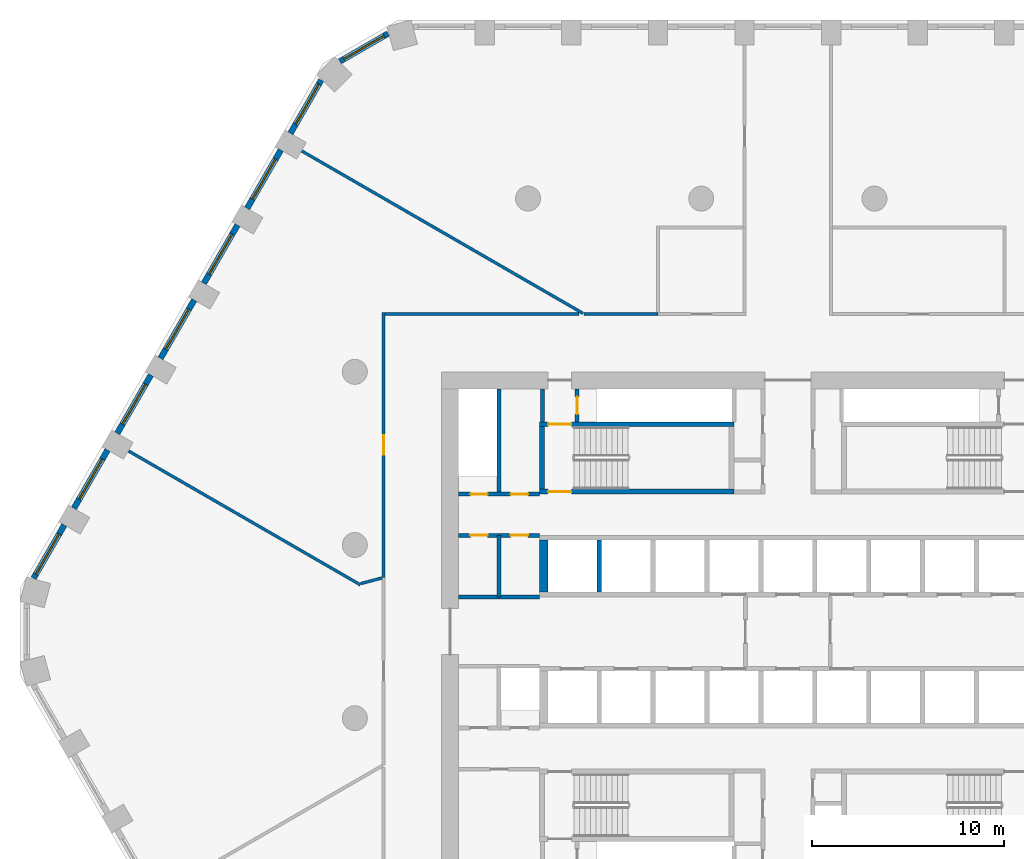
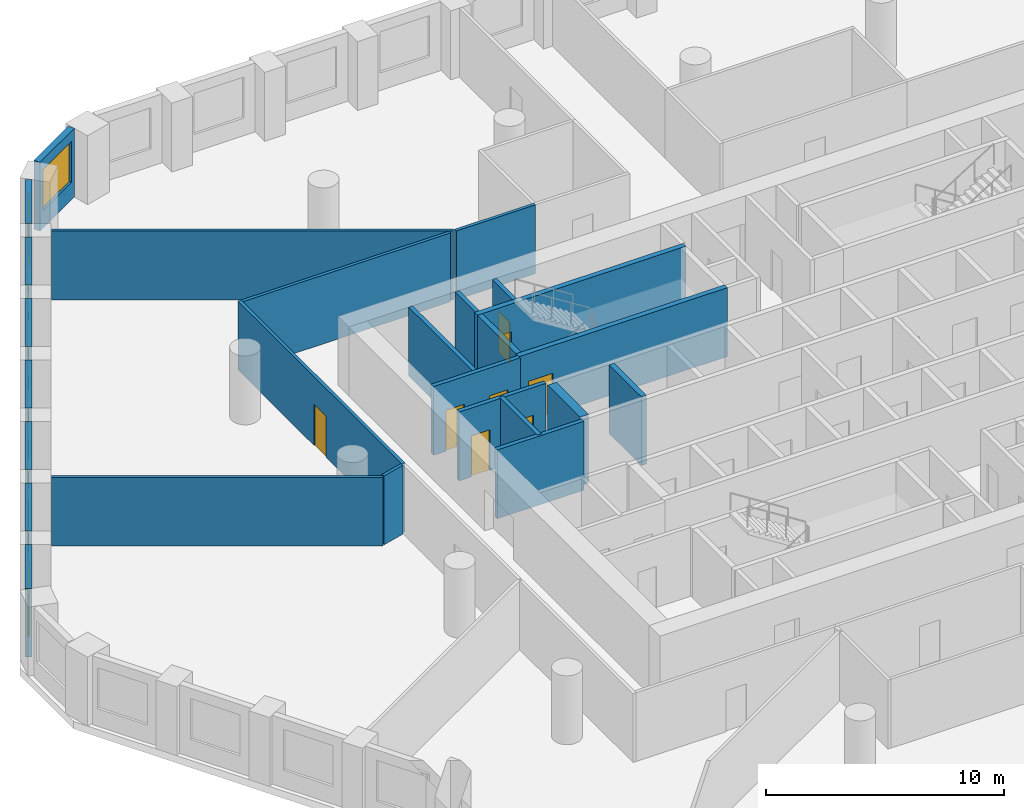
# One storey, part 5 of 10: 26 walls, 8 doors, 8 windows, 16 openings.
"""IFC4 building model written with IfcOpenShell, lengths in metres."""

from ifc_helpers import new_model, si_unit, direction, frame, frame_2d, origin, place, context, subcontext, project, spatial, polyline, rectangle, outline, extrude, material, layer, layer_set, type_object, element, fill, save


model = new_model("IFC4")

# Units and contexts
model_context = context("Model", 3, precision=1e-05, world=origin(), true_north=direction((0.0, 1.0)))
body_context = subcontext(model_context, "Body", "Model", "MODEL_VIEW")
ifc_project = project(units=[si_unit("LENGTHUNIT", "METRE"), si_unit("AREAUNIT", "SQUARE_METRE"), si_unit("VOLUMEUNIT", "CUBIC_METRE"), si_unit("PLANEANGLEUNIT", "RADIAN"), si_unit("MASSUNIT", "GRAM", prefix="KILO")], contexts=[model_context])

# Site, building, storey
site_placement = place(None, origin())
site = spatial("IfcSite", under=ifc_project, at=site_placement, CompositionType="ELEMENT")
building_placement = place(site_placement, origin())
building = spatial("IfcBuilding", under=site, at=building_placement, Name="Dhurran Vertical Campus", CompositionType="ELEMENT")
storey_placement = place(building_placement, frame((0.0, 0.0, 85.199951171875)))
storey = spatial("IfcBuildingStorey", under=building, at=storey_placement, Name="L20", CompositionType="ELEMENT", Elevation=85.199951171875)

# Wall, opening, window
ifc_material_1 = material(Name="Precast concrete C50/60", Category="concrete")
ifc_layer_1 = layer(ifc_material_1, 0.300048828125)
ifc_layer_set_1 = layer_set([ifc_layer_1], Name="Precast concrete C50/60")
wall_type_1 = type_object("IfcWallType", Name="Precast spandrel wall 300", PredefinedType="SOLIDWALL", material=ifc_layer_set_1)
wall_1_placement = place(storey_placement, frame((-20.774169921875, 31.072998046875, 0.0), z_axis=(0.0, 0.0, 1.0), x_axis=(-0.866053149362, -0.49995194017, 0.0)))
wall_1 = element("IfcWall", 1, at=wall_1_placement, inside=storey, type_object=wall_type_1, Name="EW1 L20.35", PredefinedType="SOLIDWALL", context=body_context, shape_type="SweptSolid", body=[
    extrude(rectangle(XDim=2.885498046875, YDim=0.300048828125, at=frame_2d((1.44287109375, 0.0))), origin(), (0.0, 0.0, 1.0), 3.525146484375),
])
opening_1_placement = place(wall_1_placement, frame((0.242919921875, 0.0, 0.89990234375)))
opening_1 = element("IfcOpeningElement", 2, at=opening_1_placement, cuts=wall_1, Name="Opening WT1", PredefinedType="OPENING", context=body_context, shape_type="SweptSolid", body=[
    extrude(rectangle(XDim=2.39990234375, YDim=2.10009765625, at=frame_2d((1.199951171875, 1.050048828125))), frame((0.0, 0.159912109375, 0.0), z_axis=(0.0, -1.0, 0.0), x_axis=(1.0, 0.0, 0.0)), (0.0, 0.0, 1.0), 0.320068359375),
])
ifc_material_2 = material(Name="Aluminium frame with solar-control glass", Category="aluminium")
window_type = type_object("IfcWindowType", Name="Punched window 2400 x 2100", PartitioningType="SINGLE_PANEL", PredefinedType="WINDOW", material=ifc_material_2)
window_1_placement = place(opening_1_placement, origin())
window_1 = element("IfcWindow", 3, at=window_1_placement, inside=storey, type_object=window_type, Name="WT1 L20.35", OverallHeight=2.10009765625, OverallWidth=2.39990234375, PartitioningType="SINGLE_PANEL", PredefinedType="WINDOW", context=body_context, shape_type="SweptSolid", body=[
    extrude(rectangle(XDim=2.39990234375, YDim=2.10009765625, at=frame_2d((1.199951171875, 1.050048828125))), frame((0.0, 0.030029296875, 0.0), z_axis=(0.0, -1.0, 0.0), x_axis=(1.0, 0.0, 0.0)), (0.0, 0.0, 1.0), 0.06005859375),
])
fill(opening_1, window_1)

wall_2_placement = place(storey_placement, frame((-24.24755859375, 28.65576171875, 0.0), z_axis=(0.0, 0.0, 1.0), x_axis=(-0.500004907028, -0.866022570692, 0.0)))
wall_2 = element("IfcWall", 4, at=wall_2_placement, inside=storey, type_object=wall_type_1, Name="EW1 L20.36", PredefinedType="SOLIDWALL", context=body_context, shape_type="SweptSolid", body=[
    extrude(rectangle(XDim=3.1923828125, YDim=0.300048828125, at=frame_2d((1.59619140625, 0.0))), origin(), (0.0, 0.0, 1.0), 3.525146484375),
])
opening_2_placement = place(wall_2_placement, frame((0.242919921875, 0.0, 0.89990234375)))
opening_2 = element("IfcOpeningElement", 5, at=opening_2_placement, cuts=wall_2, Name="Opening WT1", PredefinedType="OPENING", context=body_context, shape_type="SweptSolid", body=[
    extrude(rectangle(XDim=2.39990234375, YDim=2.10009765625, at=frame_2d((1.199951171875, 1.050048828125))), frame((0.0, 0.159912109375, 0.0), z_axis=(0.0, -1.0, 0.0), x_axis=(1.0, 0.0, 0.0)), (0.0, 0.0, 1.0), 0.320068359375),
])
window_2_placement = place(opening_2_placement, origin())
window_2 = element("IfcWindow", 6, at=window_2_placement, inside=storey, type_object=window_type, Name="WT1 L20.36", OverallHeight=2.10009765625, OverallWidth=2.39990234375, PartitioningType="SINGLE_PANEL", PredefinedType="WINDOW", context=body_context, shape_type="SweptSolid", body=[
    extrude(rectangle(XDim=2.39990234375, YDim=2.10009765625, at=frame_2d((1.199951171875, 1.050048828125))), frame((0.0, 0.030029296875, 0.0), z_axis=(0.0, -1.0, 0.0), x_axis=(1.0, 0.0, 0.0)), (0.0, 0.0, 1.0), 0.06005859375),
])
fill(opening_2, window_2)

wall_3_placement = place(storey_placement, frame((-26.34423828125, 25.024169921875, 0.0), z_axis=(0.0, 0.0, 1.0), x_axis=(-0.499996256241, -0.866027565234, 0.0)))
wall_3 = element("IfcWall", 7, at=wall_3_placement, inside=storey, type_object=wall_type_1, Name="EW1 L20.37", PredefinedType="SOLIDWALL", context=body_context, shape_type="SweptSolid", body=[
    extrude(rectangle(XDim=3.4990234375, YDim=0.300048828125, at=frame_2d((1.74951171875, 0.0))), origin(), (0.0, 0.0, 1.0), 3.525146484375),
])
opening_3_placement = place(wall_3_placement, frame((0.549560546875, 0.0, 0.89990234375)))
opening_3 = element("IfcOpeningElement", 8, at=opening_3_placement, cuts=wall_3, Name="Opening WT1", PredefinedType="OPENING", context=body_context, shape_type="SweptSolid", body=[
    extrude(rectangle(XDim=2.39990234375, YDim=2.10009765625, at=frame_2d((1.199951171875, 1.050048828125))), frame((0.0, 0.159912109375, 0.0), z_axis=(0.0, -1.0, 0.0), x_axis=(1.0, 0.0, 0.0)), (0.0, 0.0, 1.0), 0.320068359375),
])
window_3_placement = place(opening_3_placement, origin())
window_3 = element("IfcWindow", 9, at=window_3_placement, inside=storey, type_object=window_type, Name="WT1 L20.37", OverallHeight=2.10009765625, OverallWidth=2.39990234375, PartitioningType="SINGLE_PANEL", PredefinedType="WINDOW", context=body_context, shape_type="SweptSolid", body=[
    extrude(rectangle(XDim=2.39990234375, YDim=2.10009765625, at=frame_2d((1.199951171875, 1.050048828125))), frame((0.0, 0.030029296875, 0.0), z_axis=(0.0, -1.0, 0.0), x_axis=(1.0, 0.0, 0.0)), (0.0, 0.0, 1.0), 0.06005859375),
])
fill(opening_3, window_3)

wall_4_placement = place(storey_placement, frame((-28.59423828125, 21.127197265625, 0.0), z_axis=(0.0, 0.0, 1.0), x_axis=(-0.499996256241, -0.866027565234, 0.0)))
wall_4 = element("IfcWall", 10, at=wall_4_placement, inside=storey, type_object=wall_type_1, Name="EW1 L20.38", PredefinedType="SOLIDWALL", context=body_context, shape_type="SweptSolid", body=[
    extrude(rectangle(XDim=3.4990234375, YDim=0.300048828125, at=frame_2d((1.74951171875, 0.0))), origin(), (0.0, 0.0, 1.0), 3.525146484375),
])
opening_4_placement = place(wall_4_placement, frame((0.549560546875, 0.0, 0.89990234375)))
opening_4 = element("IfcOpeningElement", 11, at=opening_4_placement, cuts=wall_4, Name="Opening WT1", PredefinedType="OPENING", context=body_context, shape_type="SweptSolid", body=[
    extrude(rectangle(XDim=2.39990234375, YDim=2.10009765625, at=frame_2d((1.199951171875, 1.050048828125))), frame((0.0, 0.159912109375, 0.0), z_axis=(0.0, -1.0, 0.0), x_axis=(1.0, 0.0, 0.0)), (0.0, 0.0, 1.0), 0.320068359375),
])
window_4_placement = place(opening_4_placement, origin())
window_4 = element("IfcWindow", 12, at=window_4_placement, inside=storey, type_object=window_type, Name="WT1 L20.38", OverallHeight=2.10009765625, OverallWidth=2.39990234375, PartitioningType="SINGLE_PANEL", PredefinedType="WINDOW", context=body_context, shape_type="SweptSolid", body=[
    extrude(rectangle(XDim=2.39990234375, YDim=2.10009765625, at=frame_2d((1.199951171875, 1.050048828125))), frame((0.0, 0.030029296875, 0.0), z_axis=(0.0, -1.0, 0.0), x_axis=(1.0, 0.0, 0.0)), (0.0, 0.0, 1.0), 0.06005859375),
])
fill(opening_4, window_4)

wall_5_placement = place(storey_placement, frame((-30.84423828125, 17.22998046875, 0.0), z_axis=(0.0, 0.0, 1.0), x_axis=(-0.499996256241, -0.866027565234, 0.0)))
wall_5 = element("IfcWall", 13, at=wall_5_placement, inside=storey, type_object=wall_type_1, Name="EW1 L20.39", PredefinedType="SOLIDWALL", context=body_context, shape_type="SweptSolid", body=[
    extrude(rectangle(XDim=3.4990234375, YDim=0.300048828125, at=frame_2d((1.74951171875, 0.0))), origin(), (0.0, 0.0, 1.0), 3.525146484375),
])
opening_5_placement = place(wall_5_placement, frame((0.549560546875, 0.0, 0.89990234375)))
opening_5 = element("IfcOpeningElement", 14, at=opening_5_placement, cuts=wall_5, Name="Opening WT1", PredefinedType="OPENING", context=body_context, shape_type="SweptSolid", body=[
    extrude(rectangle(XDim=2.39990234375, YDim=2.10009765625, at=frame_2d((1.199951171875, 1.050048828125))), frame((0.0, 0.159912109375, 0.0), z_axis=(0.0, -1.0, 0.0), x_axis=(1.0, 0.0, 0.0)), (0.0, 0.0, 1.0), 0.320068359375),
])
window_5_placement = place(opening_5_placement, origin())
window_5 = element("IfcWindow", 15, at=window_5_placement, inside=storey, type_object=window_type, Name="WT1 L20.39", OverallHeight=2.10009765625, OverallWidth=2.39990234375, PartitioningType="SINGLE_PANEL", PredefinedType="WINDOW", context=body_context, shape_type="SweptSolid", body=[
    extrude(rectangle(XDim=2.39990234375, YDim=2.10009765625, at=frame_2d((1.199951171875, 1.050048828125))), frame((0.0, 0.030029296875, 0.0), z_axis=(0.0, -1.0, 0.0), x_axis=(1.0, 0.0, 0.0)), (0.0, 0.0, 1.0), 0.06005859375),
])
fill(opening_5, window_5)

wall_6_placement = place(storey_placement, frame((-33.09423828125, 13.3330078125, 0.0), z_axis=(0.0, 0.0, 1.0), x_axis=(-0.499996256241, -0.866027565234, 0.0)))
wall_6 = element("IfcWall", 16, at=wall_6_placement, inside=storey, type_object=wall_type_1, Name="EW1 L20.40", PredefinedType="SOLIDWALL", context=body_context, shape_type="SweptSolid", body=[
    extrude(rectangle(XDim=3.4990234375, YDim=0.300048828125, at=frame_2d((1.74951171875, 0.0))), origin(), (0.0, 0.0, 1.0), 3.525146484375),
])
opening_6_placement = place(wall_6_placement, frame((0.549560546875, 0.0, 0.89990234375)))
opening_6 = element("IfcOpeningElement", 17, at=opening_6_placement, cuts=wall_6, Name="Opening WT1", PredefinedType="OPENING", context=body_context, shape_type="SweptSolid", body=[
    extrude(rectangle(XDim=2.39990234375, YDim=2.10009765625, at=frame_2d((1.199951171875, 1.050048828125))), frame((0.0, 0.159912109375, 0.0), z_axis=(0.0, -1.0, 0.0), x_axis=(1.0, 0.0, 0.0)), (0.0, 0.0, 1.0), 0.320068359375),
])
window_6_placement = place(opening_6_placement, origin())
window_6 = element("IfcWindow", 18, at=window_6_placement, inside=storey, type_object=window_type, Name="WT1 L20.40", OverallHeight=2.10009765625, OverallWidth=2.39990234375, PartitioningType="SINGLE_PANEL", PredefinedType="WINDOW", context=body_context, shape_type="SweptSolid", body=[
    extrude(rectangle(XDim=2.39990234375, YDim=2.10009765625, at=frame_2d((1.199951171875, 1.050048828125))), frame((0.0, 0.030029296875, 0.0), z_axis=(0.0, -1.0, 0.0), x_axis=(1.0, 0.0, 0.0)), (0.0, 0.0, 1.0), 0.06005859375),
])
fill(opening_6, window_6)

wall_7_placement = place(storey_placement, frame((-35.34423828125, 9.435791015625, 0.0), z_axis=(0.0, 0.0, 1.0), x_axis=(-0.499996256241, -0.866027565234, 0.0)))
wall_7 = element("IfcWall", 19, at=wall_7_placement, inside=storey, type_object=wall_type_1, Name="EW1 L20.41", PredefinedType="SOLIDWALL", context=body_context, shape_type="SweptSolid", body=[
    extrude(rectangle(XDim=3.4990234375, YDim=0.300048828125, at=frame_2d((1.74951171875, 0.0))), origin(), (0.0, 0.0, 1.0), 3.525146484375),
])
opening_7_placement = place(wall_7_placement, frame((0.549560546875, 0.0, 0.89990234375)))
opening_7 = element("IfcOpeningElement", 20, at=opening_7_placement, cuts=wall_7, Name="Opening WT1", PredefinedType="OPENING", context=body_context, shape_type="SweptSolid", body=[
    extrude(rectangle(XDim=2.39990234375, YDim=2.10009765625, at=frame_2d((1.199951171875, 1.050048828125))), frame((0.0, 0.159912109375, 0.0), z_axis=(0.0, -1.0, 0.0), x_axis=(1.0, 0.0, 0.0)), (0.0, 0.0, 1.0), 0.320068359375),
])
window_7_placement = place(opening_7_placement, origin())
window_7 = element("IfcWindow", 21, at=window_7_placement, inside=storey, type_object=window_type, Name="WT1 L20.41", OverallHeight=2.10009765625, OverallWidth=2.39990234375, PartitioningType="SINGLE_PANEL", PredefinedType="WINDOW", context=body_context, shape_type="SweptSolid", body=[
    extrude(rectangle(XDim=2.39990234375, YDim=2.10009765625, at=frame_2d((1.199951171875, 1.050048828125))), frame((0.0, 0.030029296875, 0.0), z_axis=(0.0, -1.0, 0.0), x_axis=(1.0, 0.0, 0.0)), (0.0, 0.0, 1.0), 0.06005859375),
])
fill(opening_7, window_7)

wall_8_placement = place(storey_placement, frame((-37.59423828125, 5.538818359375, 0.0), z_axis=(0.0, 0.0, 1.0), x_axis=(-0.500004907028, -0.866022570692, 0.0)))
wall_8 = element("IfcWall", 22, at=wall_8_placement, inside=storey, type_object=wall_type_1, Name="EW1 L20.42", PredefinedType="SOLIDWALL", context=body_context, shape_type="SweptSolid", body=[
    extrude(rectangle(XDim=3.1923828125, YDim=0.300048828125, at=frame_2d((1.59619140625, 0.0))), origin(), (0.0, 0.0, 1.0), 3.525146484375),
])
opening_8_placement = place(wall_8_placement, frame((0.549560546875, 0.0, 0.89990234375)))
opening_8 = element("IfcOpeningElement", 23, at=opening_8_placement, cuts=wall_8, Name="Opening WT1", PredefinedType="OPENING", context=body_context, shape_type="SweptSolid", body=[
    extrude(rectangle(XDim=2.39990234375, YDim=2.10009765625, at=frame_2d((1.199951171875, 1.050048828125))), frame((0.0, 0.159912109375, 0.0), z_axis=(0.0, -1.0, 0.0), x_axis=(1.0, 0.0, 0.0)), (0.0, 0.0, 1.0), 0.320068359375),
])
window_8_placement = place(opening_8_placement, origin())
window_8 = element("IfcWindow", 24, at=window_8_placement, inside=storey, type_object=window_type, Name="WT1 L20.42", OverallHeight=2.10009765625, OverallWidth=2.39990234375, PartitioningType="SINGLE_PANEL", PredefinedType="WINDOW", context=body_context, shape_type="SweptSolid", body=[
    extrude(rectangle(XDim=2.39990234375, YDim=2.10009765625, at=frame_2d((1.199951171875, 1.050048828125))), frame((0.0, 0.030029296875, 0.0), z_axis=(0.0, -1.0, 0.0), x_axis=(1.0, 0.0, 0.0)), (0.0, 0.0, 1.0), 0.06005859375),
])
fill(opening_8, window_8)

# Wall
ifc_material_3 = material(Name="Fire-rated masonry blockwork", Category="masonry")
ifc_layer_2 = layer(ifc_material_3, 0.199951171875)
ifc_layer_set_2 = layer_set([ifc_layer_2], Name="Fire-rated masonry blockwork")
wall_type_2 = type_object("IfcWallType", Name="co-FIRE-PARTITION-200", PredefinedType="PARTITIONING", material=ifc_layer_set_2)
wall_9_placement = place(storey_placement, frame((-12.75, 10.89990234375, 0.0), z_axis=(0.0, 0.0, 1.0), x_axis=(0.0, 1.0, 0.0)))
element("IfcWall", 25, at=wall_9_placement, inside=storey, type_object=wall_type_2, Name="Core partition pass-ST1-o L20", PredefinedType="PARTITIONING", context=body_context, shape_type="SweptSolid", body=[
    extrude(rectangle(XDim=1.7001953125, YDim=0.199951171875, at=frame_2d((0.85009765625, 0.0))), origin(), (0.0, 0.0, 1.0), 3.525146484375),
])

# Wall, opening, door
wall_10_placement = place(storey_placement, frame((-10.949951171875, 10.89990234375, 0.0), z_axis=(0.0, 0.0, 1.0), x_axis=(0.0, 1.0, 0.0)))
wall_10 = element("IfcWall", 26, at=wall_10_placement, inside=storey, type_object=wall_type_2, Name="Core partition pass-ST1-i L20", PredefinedType="PARTITIONING", context=body_context, shape_type="SweptSolid", body=[
    extrude(rectangle(XDim=1.7001953125, YDim=0.199951171875, at=frame_2d((0.85009765625, 0.0))), origin(), (0.0, 0.0, 1.0), 3.525146484375),
])
opening_9_placement = place(wall_10_placement, frame((0.39990234375, 0.0, 0.0)))
opening_9 = element("IfcOpeningElement", 27, at=opening_9_placement, cuts=wall_10, Name="Opening T05-C8", PredefinedType="OPENING", context=body_context, shape_type="SweptSolid", body=[
    extrude(rectangle(XDim=0.89990234375, YDim=2.10009765625, at=frame_2d((0.449951171875, 1.050048828125))), frame((0.0, 0.10986328125, 0.0), z_axis=(0.0, -1.0, 0.0), x_axis=(1.0, 0.0, 0.0)), (0.0, 0.0, 1.0), 0.219970703125),
])
ifc_material_4 = material(Name="Fire-rated timber door set", Category="wood")
door_type_1 = type_object("IfcDoorType", Name="co-D-ROOM 900x2100", OperationType="SINGLE_SWING_LEFT", PredefinedType="DOOR", material=ifc_material_4)
door_1_placement = place(opening_9_placement, origin())
door_1 = element("IfcDoor", 28, at=door_1_placement, inside=storey, type_object=door_type_1, Name="Riser room door L20", OperationType="SINGLE_SWING_LEFT", OverallHeight=2.10009765625, OverallWidth=0.89990234375, PredefinedType="DOOR", context=body_context, shape_type="SweptSolid", body=[
    extrude(rectangle(XDim=0.89990234375, YDim=2.10009765625, at=frame_2d((0.449951171875, 1.050048828125))), frame((0.0, 0.02490234375, 0.0), z_axis=(0.0, -1.0, 0.0), x_axis=(1.0, 0.0, 0.0)), (0.0, 0.0, 1.0), 0.050048828125),
])
fill(opening_9, door_1)

# Wall
wall_11_placement = place(storey_placement, frame((-15.0, 7.14990234375, 0.0), z_axis=(0.0, 0.0, 1.0), x_axis=(0.0, 1.0, 0.0)))
element("IfcWall", 29, at=wall_11_placement, inside=storey, type_object=wall_type_2, Name="Core partition en-NW-cut0 L20", PredefinedType="PARTITIONING", context=body_context, shape_type="SweptSolid", body=[
    extrude(rectangle(XDim=5.4501953125, YDim=0.199951171875, at=frame_2d((2.72509765625, 0.0))), origin(), (0.0, 0.0, 1.0), 3.525146484375),
])

# Wall, openings, doors
wall_12_placement = place(storey_placement, frame((-17.10009765625, 7.14990234375, 0.0), z_axis=(0.0, 0.0, 1.0), x_axis=(1.0, 0.0, 0.0)))
wall_12 = element("IfcWall", 30, at=wall_12_placement, inside=storey, type_object=wall_type_2, Name="Core partition en-NW-w L20", PredefinedType="PARTITIONING", context=body_context, shape_type="SweptSolid", body=[
    extrude(rectangle(XDim=4.2001953125, YDim=0.199951171875, at=frame_2d((2.10009765625, 0.0))), origin(), (0.0, 0.0, 1.0), 3.525146484375),
])
opening_10_placement = place(wall_12_placement, frame((0.60009765625, 0.0, 0.0)))
opening_10 = element("IfcOpeningElement", 31, at=opening_10_placement, cuts=wall_12, Name="Opening T05-C12", PredefinedType="OPENING", context=body_context, shape_type="SweptSolid", body=[
    extrude(rectangle(XDim=0.89990234375, YDim=2.10009765625, at=frame_2d((0.449951171875, 1.050048828125))), frame((0.0, 0.10986328125, 0.0), z_axis=(0.0, -1.0, 0.0), x_axis=(1.0, 0.0, 0.0)), (0.0, 0.0, 1.0), 0.219970703125),
])
opening_11_placement = place(wall_12_placement, frame((2.699951171875, 0.0, 0.0)))
opening_11 = element("IfcOpeningElement", 32, at=opening_11_placement, cuts=wall_12, Name="Opening T05-C13", PredefinedType="OPENING", context=body_context, shape_type="SweptSolid", body=[
    extrude(rectangle(XDim=0.89990234375, YDim=2.10009765625, at=frame_2d((0.449951171875, 1.050048828125))), frame((0.0, 0.10986328125, 0.0), z_axis=(0.0, -1.0, 0.0), x_axis=(1.0, 0.0, 0.0)), (0.0, 0.0, 1.0), 0.219970703125),
])
door_2_placement = place(opening_10_placement, origin())
door_2 = element("IfcDoor", 33, at=door_2_placement, inside=storey, type_object=door_type_1, Name="Electrical riser door L20", OperationType="SINGLE_SWING_LEFT", OverallHeight=2.10009765625, OverallWidth=0.89990234375, PredefinedType="DOOR", context=body_context, shape_type="SweptSolid", body=[
    extrude(rectangle(XDim=0.89990234375, YDim=2.10009765625, at=frame_2d((0.449951171875, 1.050048828125))), frame((0.0, 0.02490234375, 0.0), z_axis=(0.0, -1.0, 0.0), x_axis=(1.0, 0.0, 0.0)), (0.0, 0.0, 1.0), 0.050048828125),
])
fill(opening_10, door_2)
door_3_placement = place(opening_11_placement, origin())
door_3 = element("IfcDoor", 34, at=door_3_placement, inside=storey, type_object=door_type_1, Name="Store door L20", OperationType="SINGLE_SWING_LEFT", OverallHeight=2.10009765625, OverallWidth=0.89990234375, PredefinedType="DOOR", context=body_context, shape_type="SweptSolid", body=[
    extrude(rectangle(XDim=0.89990234375, YDim=2.10009765625, at=frame_2d((0.449951171875, 1.050048828125))), frame((0.0, 0.02490234375, 0.0), z_axis=(0.0, -1.0, 0.0), x_axis=(1.0, 0.0, 0.0)), (0.0, 0.0, 1.0), 0.050048828125),
])
fill(opening_11, door_3)

# Wall
wall_13_placement = place(storey_placement, frame((-15.0, 1.800048828125, 0.0), z_axis=(0.0, 0.0, 1.0), x_axis=(0.0, 1.0, 0.0)))
element("IfcWall", 35, at=wall_13_placement, inside=storey, type_object=wall_type_2, Name="Core partition es-NW-cut0 L20", PredefinedType="PARTITIONING", context=body_context, shape_type="SweptSolid", body=[
    extrude(rectangle(XDim=3.199951171875, YDim=0.199951171875, at=frame_2d((1.60009765625, 0.0))), origin(), (0.0, 0.0, 1.0), 3.525146484375),
])

# Wall, openings, doors
wall_14_placement = place(storey_placement, frame((-17.10009765625, 5.0, 0.0), z_axis=(0.0, 0.0, 1.0), x_axis=(1.0, 0.0, 0.0)))
wall_14 = element("IfcWall", 36, at=wall_14_placement, inside=storey, type_object=wall_type_2, Name="Core partition es-NW-w L20", PredefinedType="PARTITIONING", context=body_context, shape_type="SweptSolid", body=[
    extrude(rectangle(XDim=4.2001953125, YDim=0.199951171875, at=frame_2d((2.10009765625, 0.0))), origin(), (0.0, 0.0, 1.0), 3.525146484375),
])
opening_12_placement = place(wall_14_placement, frame((0.60009765625, 0.0, 0.0)))
opening_12 = element("IfcOpeningElement", 37, at=opening_12_placement, cuts=wall_14, Name="Opening T05-C14", PredefinedType="OPENING", context=body_context, shape_type="SweptSolid", body=[
    extrude(rectangle(XDim=0.89990234375, YDim=2.10009765625, at=frame_2d((0.449951171875, 1.050048828125))), frame((0.0, 0.10986328125, 0.0), z_axis=(0.0, -1.0, 0.0), x_axis=(1.0, 0.0, 0.0)), (0.0, 0.0, 1.0), 0.219970703125),
])
opening_13_placement = place(wall_14_placement, frame((2.699951171875, 0.0, 0.0)))
opening_13 = element("IfcOpeningElement", 38, at=opening_13_placement, cuts=wall_14, Name="Opening T05-C15", PredefinedType="OPENING", context=body_context, shape_type="SweptSolid", body=[
    extrude(rectangle(XDim=0.89990234375, YDim=2.10009765625, at=frame_2d((0.449951171875, 1.050048828125))), frame((0.0, 0.10986328125, 0.0), z_axis=(0.0, -1.0, 0.0), x_axis=(1.0, 0.0, 0.0)), (0.0, 0.0, 1.0), 0.219970703125),
])
door_4_placement = place(opening_12_placement, origin())
door_4 = element("IfcDoor", 39, at=door_4_placement, inside=storey, type_object=door_type_1, Name="Plant room door L20", OperationType="SINGLE_SWING_LEFT", OverallHeight=2.10009765625, OverallWidth=0.89990234375, PredefinedType="DOOR", context=body_context, shape_type="SweptSolid", body=[
    extrude(rectangle(XDim=0.89990234375, YDim=2.10009765625, at=frame_2d((0.449951171875, 1.050048828125))), frame((0.0, 0.02490234375, 0.0), z_axis=(0.0, -1.0, 0.0), x_axis=(1.0, 0.0, 0.0)), (0.0, 0.0, 1.0), 0.050048828125),
])
fill(opening_12, door_4)
door_5_placement = place(opening_13_placement, origin())
door_5 = element("IfcDoor", 40, at=door_5_placement, inside=storey, type_object=door_type_1, Name="Pantry door L20", OperationType="SINGLE_SWING_LEFT", OverallHeight=2.10009765625, OverallWidth=0.89990234375, PredefinedType="DOOR", context=body_context, shape_type="SweptSolid", body=[
    extrude(rectangle(XDim=0.89990234375, YDim=2.10009765625, at=frame_2d((0.449951171875, 1.050048828125))), frame((0.0, 0.02490234375, 0.0), z_axis=(0.0, -1.0, 0.0), x_axis=(1.0, 0.0, 0.0)), (0.0, 0.0, 1.0), 0.050048828125),
])
fill(opening_13, door_5)

# Walls
wall_15_placement = place(storey_placement, frame((-17.10009765625, 1.800048828125, 0.0), z_axis=(0.0, 0.0, 1.0), x_axis=(1.0, 0.0, 0.0)))
element("IfcWall", 41, at=wall_15_placement, inside=storey, type_object=wall_type_2, Name="Core partition es-NW-l L20", PredefinedType="PARTITIONING", context=body_context, shape_type="SweptSolid", body=[
    extrude(rectangle(XDim=4.2001953125, YDim=0.199951171875, at=frame_2d((2.10009765625, 0.0))), origin(), (0.0, 0.0, 1.0), 3.525146484375),
])
ifc_material_5 = material(Name="Concrete C50/60", Category="concrete")
ifc_layer_3 = layer(ifc_material_5, 0.25)
ifc_layer_set_3 = layer_set([ifc_layer_3], Name="Concrete C50/60")
wall_type_3 = type_object("IfcWallType", Name="co-SHAFT-MASS-250", PredefinedType="SHEAR", material=ifc_layer_set_3)
wall_16_placement = place(storey_placement, origin())
element("IfcWall", 42, at=wall_16_placement, inside=storey, type_object=wall_type_3, Name="Lift shaft wall N L20 2", PredefinedType="SHEAR", context=body_context, shape_type="SweptSolid", body=[
    extrude(outline(polyline([(-12.89990234375, 2.050048828125), (-12.47509765625, 2.050048828125), (-12.47509765625, 4.75), (-12.89990234375, 4.75), (-12.89990234375, 2.050048828125)])), origin(), (0.0, 0.0, 1.0), 3.525146484375),
])
wall_17_placement = place(storey_placement, origin())
element("IfcWall", 43, at=wall_17_placement, inside=storey, type_object=wall_type_3, Name="Lift shaft wall N L20 3", PredefinedType="SHEAR", context=body_context, shape_type="SweptSolid", body=[
    extrude(outline(polyline([(-9.925048828125, 2.050048828125), (-9.675048828125, 2.050048828125), (-9.675048828125, 4.75), (-9.925048828125, 4.75), (-9.925048828125, 2.050048828125)])), origin(), (0.0, 0.0, 1.0), 3.525146484375),
])

# Wall, opening, door
ifc_material_6 = material(Name="Concrete C40/50", Category="concrete")
ifc_layer_4 = layer(ifc_material_6, 0.25)
ifc_layer_set_4 = layer_set([ifc_layer_4], Name="Concrete C40/50")
wall_type_4 = type_object("IfcWallType", Name="co-STAIR-WALL-250", PredefinedType="SHEAR", material=ifc_layer_set_4)
wall_18_placement = place(storey_placement, frame((-12.89990234375, 7.27490234375, 0.0), z_axis=(0.0, 0.0, 1.0), x_axis=(1.0, 0.0, 0.0)))
wall_18 = element("IfcWall", 44, at=wall_18_placement, inside=storey, type_object=wall_type_4, Name="Stair ST1 enclosure wall L20", PredefinedType="SHEAR", context=body_context, shape_type="SweptSolid", body=[
    extrude(rectangle(XDim=10.099853515625, YDim=0.25, at=frame_2d((5.0498046875, 0.0))), origin(), (0.0, 0.0, 1.0), 3.525146484375),
])
opening_14_placement = place(wall_18_placement, frame((0.449951171875, 0.0, 0.0)))
opening_14 = element("IfcOpeningElement", 45, at=opening_14_placement, cuts=wall_18, Name="Opening SD1", PredefinedType="OPENING", context=body_context, shape_type="SweptSolid", body=[
    extrude(rectangle(XDim=1.199951171875, YDim=2.10009765625, at=frame_2d((0.60009765625, 1.050048828125))), frame((0.0, 0.135009765625, 0.0), z_axis=(0.0, -1.0, 0.0), x_axis=(1.0, 0.0, 0.0)), (0.0, 0.0, 1.0), 0.27001953125),
])
ifc_material_7 = material(Name="Fire-rated steel door set", Category="steel")
door_type_2 = type_object("IfcDoorType", Name="co-D-STAIR 1200x2100", OperationType="SINGLE_SWING_LEFT", PredefinedType="DOOR", material=ifc_material_7)
door_6_placement = place(opening_14_placement, origin())
door_6 = element("IfcDoor", 46, at=door_6_placement, inside=storey, type_object=door_type_2, Name="Stair ST1 door L20", OperationType="SINGLE_SWING_LEFT", OverallHeight=2.10009765625, OverallWidth=1.199951171875, PredefinedType="DOOR", context=body_context, shape_type="SweptSolid", body=[
    extrude(rectangle(XDim=1.199951171875, YDim=2.10009765625, at=frame_2d((0.60009765625, 1.050048828125))), frame((0.0, 0.02490234375, 0.0), z_axis=(0.0, -1.0, 0.0), x_axis=(1.0, 0.0, 0.0)), (0.0, 0.0, 1.0), 0.050048828125),
])
fill(opening_14, door_6)

wall_19_placement = place(storey_placement, frame((-12.89990234375, 10.77490234375, 0.0), z_axis=(0.0, 0.0, 1.0), x_axis=(1.0, 0.0, 0.0)))
wall_19 = element("IfcWall", 47, at=wall_19_placement, inside=storey, type_object=wall_type_4, Name="Stair ST1 enclosure wall L20", PredefinedType="SHEAR", context=body_context, shape_type="SweptSolid", body=[
    extrude(rectangle(XDim=10.099853515625, YDim=0.25, at=frame_2d((5.0498046875, 0.0))), origin(), (0.0, 0.0, 1.0), 3.525146484375),
])
opening_15_placement = place(wall_19_placement, frame((0.449951171875, 0.0, 0.0)))
opening_15 = element("IfcOpeningElement", 48, at=opening_15_placement, cuts=wall_19, Name="Opening XS1", PredefinedType="OPENING", context=body_context, shape_type="SweptSolid", body=[
    extrude(rectangle(XDim=1.199951171875, YDim=2.10009765625, at=frame_2d((0.60009765625, 1.050048828125))), frame((0.0, 0.135009765625, 0.0), z_axis=(0.0, -1.0, 0.0), x_axis=(1.0, 0.0, 0.0)), (0.0, 0.0, 1.0), 0.27001953125),
])
ifc_material_8 = material(Name="Fire-rated steel door set", Category="steel")
door_type_3 = type_object("IfcDoorType", Name="co-D-STAIR-EXIT 1200x2100", OperationType="SINGLE_SWING_RIGHT", PredefinedType="DOOR", material=ifc_material_8)
door_7_placement = place(opening_15_placement, origin())
door_7 = element("IfcDoor", 49, at=door_7_placement, inside=storey, type_object=door_type_3, Name="Stair ST1 discharge door L20", OperationType="SINGLE_SWING_RIGHT", OverallHeight=2.10009765625, OverallWidth=1.199951171875, PredefinedType="DOOR", context=body_context, shape_type="SweptSolid", body=[
    extrude(rectangle(XDim=1.199951171875, YDim=2.10009765625, at=frame_2d((0.60009765625, 1.050048828125))), frame((0.0, 0.02490234375, 0.0), z_axis=(0.0, -1.0, 0.0), x_axis=(1.0, 0.0, 0.0)), (0.0, 0.0, 1.0), 0.050048828125),
])
fill(opening_15, door_7)

# Wall
wall_20_placement = place(storey_placement, frame((-12.77490234375, 7.39990234375, 0.0), z_axis=(0.0, 0.0, 1.0), x_axis=(0.0, 1.0, 0.0)))
element("IfcWall", 50, at=wall_20_placement, inside=storey, type_object=wall_type_4, Name="Stair ST1 enclosure wall L20", PredefinedType="SHEAR", context=body_context, shape_type="SweptSolid", body=[
    extrude(rectangle(XDim=3.25, YDim=0.25, at=frame_2d((1.625, 0.0))), origin(), (0.0, 0.0, 1.0), 3.525146484375),
])

# Wall, opening, door
ifc_material_9 = material(Name="Gypsum board corridor wall on steel studs", Category="steel")
ifc_layer_5 = layer(ifc_material_9, 0.14990234375)
ifc_layer_set_5 = layer_set([ifc_layer_5], Name="Gypsum board corridor wall on steel studs")
wall_type_5 = type_object("IfcWallType", Name="fl-CW-150 corridor wall", PredefinedType="PARTITIONING", material=ifc_layer_set_5)
wall_21_placement = place(storey_placement, frame((-21.0, 16.574951171875, 0.0), z_axis=(0.0, 0.0, 1.0), x_axis=(0.0, -1.0, 0.0)))
wall_21 = element("IfcWall", 51, at=wall_21_placement, inside=storey, type_object=wall_type_5, Name="Partition 20-09", PredefinedType="PARTITIONING", context=body_context, shape_type="SweptSolid", body=[
    extrude(rectangle(XDim=13.761962890625, YDim=0.14990234375, at=frame_2d((6.880859375, 0.0))), origin(), (0.0, 0.0, 1.0), 3.525146484375),
])
opening_16_placement = place(wall_21_placement, frame((6.381103515625, 0.0, 0.0)))
opening_16 = element("IfcOpeningElement", 52, at=opening_16_placement, cuts=wall_21, Name="Opening T05.02", PredefinedType="OPENING", context=body_context, shape_type="SweptSolid", body=[
    extrude(rectangle(XDim=1.0, YDim=2.10009765625, at=frame_2d((0.5, 1.050048828125))), frame((0.0, 0.0849609375, 0.0), z_axis=(0.0, -1.0, 0.0), x_axis=(1.0, 0.0, 0.0)), (0.0, 0.0, 1.0), 0.169921875),
])
ifc_material_10 = material(Name="Solid-core timber door set, fire-rated", Category="wood")
door_type_4 = type_object("IfcDoorType", Name="fl-D-1000x2100", OperationType="SINGLE_SWING_LEFT", PredefinedType="DOOR", material=ifc_material_10)
door_8_placement = place(opening_16_placement, origin())
door_8 = element("IfcDoor", 53, at=door_8_placement, inside=storey, type_object=door_type_4, Name="Door 20.02", OperationType="SINGLE_SWING_RIGHT", OverallHeight=2.10009765625, OverallWidth=1.0, PredefinedType="DOOR", context=body_context, shape_type="SweptSolid", body=[
    extrude(rectangle(XDim=1.0, YDim=2.10009765625, at=frame_2d((0.5, 1.050048828125))), frame((0.0, 0.02490234375, 0.0), z_axis=(0.0, -1.0, 0.0), x_axis=(1.0, 0.0, 0.0)), (0.0, 0.0, 1.0), 0.050048828125),
])
fill(opening_16, door_8)

# Walls
wall_22_placement = place(storey_placement, frame((-10.85400390625, 16.5, 0.0), z_axis=(0.0, 0.0, 1.0), x_axis=(-1.0, 0.0, 0.0)))
element("IfcWall", 54, at=wall_22_placement, inside=storey, type_object=wall_type_5, Name="Partition 20-10", PredefinedType="PARTITIONING", context=body_context, shape_type="SweptSolid", body=[
    extrude(rectangle(XDim=10.071044921875, YDim=0.14990234375, at=frame_2d((5.03564453125, 0.0))), origin(), (0.0, 0.0, 1.0), 3.525146484375),
])
wall_23_placement = place(storey_placement, frame((-6.75, 16.5, 0.0), z_axis=(0.0, 0.0, 1.0), x_axis=(-1.0, 0.0, 0.0)))
element("IfcWall", 55, at=wall_23_placement, inside=storey, type_object=wall_type_5, Name="Partition 20-15", PredefinedType="PARTITIONING", context=body_context, shape_type="SweptSolid", body=[
    extrude(rectangle(XDim=3.8291015625, YDim=0.14990234375, at=frame_2d((1.91455078125, 0.0))), origin(), (0.0, 0.0, 1.0), 3.525146484375),
])
ifc_material_11 = material(Name="Gypsum board partition on steel studs", Category="steel")
ifc_layer_6 = layer(ifc_material_11, 0.14990234375)
ifc_layer_set_6 = layer_set([ifc_layer_6], Name="Gypsum board partition on steel studs")
wall_type_6 = type_object("IfcWallType", Name="fl-PW-150 fixed partition", PredefinedType="PARTITIONING", material=ifc_layer_set_6)
wall_24_placement = place(storey_placement, frame((-34.25390625, 9.38427734375, 0.0), z_axis=(0.0, 0.0, 1.0), x_axis=(0.866040828911, -0.499973281945, 0.0)))
element("IfcWall", 56, at=wall_24_placement, inside=storey, type_object=wall_type_6, Name="Partition 20-01", PredefinedType="PARTITIONING", context=body_context, shape_type="SweptSolid", body=[
    extrude(rectangle(XDim=13.902099609375, YDim=0.14990234375, at=frame_2d((6.951171875, 0.0))), origin(), (0.0, 0.0, 1.0), 3.525146484375),
])
wall_25_placement = place(storey_placement, frame((-25.25390625, 24.972900390625, 0.0), z_axis=(0.0, 0.0, 1.0), x_axis=(0.866017851419, -0.500013080853, 0.0)))
element("IfcWall", 57, at=wall_25_placement, inside=storey, type_object=wall_type_6, Name="Partition 20-04", PredefinedType="PARTITIONING", context=body_context, shape_type="SweptSolid", body=[
    extrude(rectangle(XDim=16.8701171875, YDim=0.14990234375, at=frame_2d((8.43505859375, 0.0))), origin(), (0.0, 0.0, 1.0), 3.525146484375),
])
wall_26_placement = place(storey_placement, frame((-22.177490234375, 2.498046875, 0.0), z_axis=(0.0, 0.0, 1.0), x_axis=(0.966065265568, 0.25829808877, 0.0)))
element("IfcWall", 58, at=wall_26_placement, inside=storey, type_object=wall_type_6, Name="Partition 20-05", PredefinedType="PARTITIONING", context=body_context, shape_type="SweptSolid", body=[
    extrude(rectangle(XDim=1.123779296875, YDim=0.14990234375, at=frame_2d((0.56201171875, 0.0))), origin(), (0.0, 0.0, 1.0), 3.525146484375),
])

save(model, "model.ifc")
